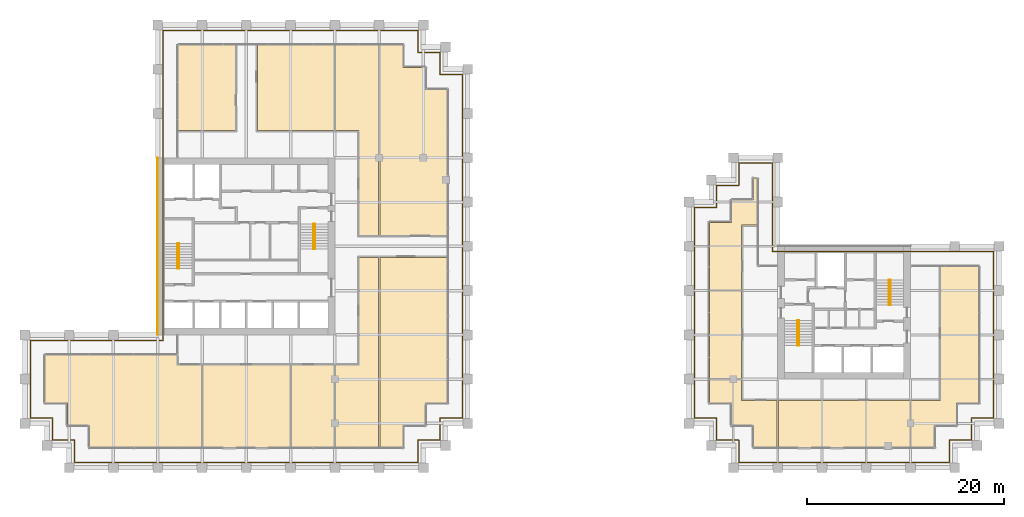
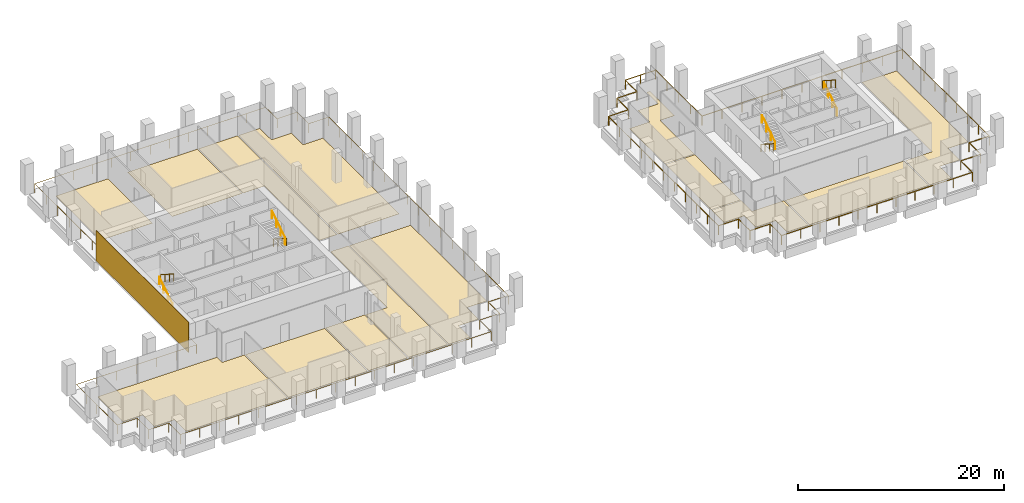
# One storey, part 45 of 46: 15 coverings, 10 railings.
"""IFC4 building model written with IfcOpenShell, lengths in metres."""

import ifcopenshell
import ifcopenshell.guid

model = None  # the IFC model being written
_history = None  # IfcOwnerHistory: only IFC2X3 demands one
_inside = {}  # id of a spatial element -> (the spatial element, [elements in it])
_under = {}  # id of a project, library or spatial element -> (it, [spatial elements below it])
_declared = {}  # id of a project -> (the project, [libraries it declares])
_typed = {}  # id of a type object -> (the type object, [elements of that type])
_made_of = {}  # id of a material, layer set ... -> (it, [elements and type objects made of it])


def new_model(schema):
    """Start an empty IFC model of exactly this schema.

    Asked for "IFC4X3", IfcOpenShell would pick the latest addendum, in which some entities
    have other attributes; the version numbers below select the first issue.
    IFC2X3 requires an IfcOwnerHistory on every rooted entity: one is made here for all.
    """
    global model, _history
    if schema == "IFC4X3":
        model = ifcopenshell.file(schema_version=(4, 3, 0, 0))
    else:
        model = ifcopenshell.file(schema=schema)
    _inside.clear()
    _under.clear()
    _declared.clear()
    _typed.clear()
    _made_of.clear()
    _history = None
    if model.schema == "IFC2X3":
        org = make("IfcOrganization", Name="unknown")
        user = make(
            "IfcPersonAndOrganization",
            ThePerson=make("IfcPerson", FamilyName="unknown"),
            TheOrganization=org,
        )
        app = make(
            "IfcApplication",
            ApplicationDeveloper=org,
            Version="unknown",
            ApplicationFullName="unknown",
            ApplicationIdentifier="unknown",
        )
        _history = make(
            "IfcOwnerHistory",
            OwningUser=user,
            OwningApplication=app,
            ChangeAction="ADDED",
            CreationDate=0,
        )
    return model


def make(cls, **values):
    """One entity of the class cls with the attributes given. An attribute that is None is left unset."""
    return model.create_entity(
        cls, **{name: value for name, value in values.items() if value is not None}
    )


def rooted(cls, **values):
    """An entity with a GlobalId (a new one), such as an element, a storey or a relation."""
    return make(cls, GlobalId=ifcopenshell.guid.new(), OwnerHistory=_history, **values)


def si_unit(unit_type, name, prefix=None):
    """IfcSIUnit, for example si_unit("LENGTHUNIT", "METRE", prefix="MILLI")."""
    return make("IfcSIUnit", UnitType=unit_type, Prefix=prefix, Name=name)


def assignment(units):
    """IfcUnitAssignment: the units of a project."""
    return None if units is None else make("IfcUnitAssignment", Units=units)


def point(xyz):
    """IfcCartesianPoint."""
    return None if xyz is None else make("IfcCartesianPoint", Coordinates=xyz)


def direction(xyz):
    """IfcDirection."""
    return None if xyz is None else make("IfcDirection", DirectionRatios=xyz)


def frame(location, z_axis=None, x_axis=None):
    """IfcAxis2Placement3D, a coordinate frame: its origin and axes. An axis left out is left unset."""
    return make(
        "IfcAxis2Placement3D",
        Location=point(location),
        Axis=direction(z_axis),
        RefDirection=direction(x_axis),
    )


def frame_2d(location, x_axis=None):
    """IfcAxis2Placement2D, a coordinate frame in the plane: its origin and x axis."""
    return make(
        "IfcAxis2Placement2D", Location=point(location), RefDirection=direction(x_axis)
    )


def origin():
    """The frame at (0, 0, 0) with its axes left unset."""
    return frame((0.0, 0.0, 0.0))


def origin_2d():
    """The frame at (0, 0) in the plane with its x axis left unset."""
    return frame_2d((0.0, 0.0))


def place(relative_to, where):
    """IfcLocalPlacement: puts the frame where relative to a parent placement (None: the world)."""
    return make(
        "IfcLocalPlacement", PlacementRelTo=relative_to, RelativePlacement=where
    )


def context(
    kind, dimensions, precision=None, world=None, true_north=None, identifier=None
):
    """IfcGeometricRepresentationContext, for example the 3D "Model" context."""
    return make(
        "IfcGeometricRepresentationContext",
        ContextIdentifier=identifier,
        ContextType=kind,
        CoordinateSpaceDimension=dimensions,
        Precision=precision,
        WorldCoordinateSystem=world,
        TrueNorth=true_north,
    )


def subcontext(parent, identifier, kind, view, scale=None):
    """IfcGeometricRepresentationSubContext, for example "Body" below "Model"."""
    return make(
        "IfcGeometricRepresentationSubContext",
        ContextIdentifier=identifier,
        ContextType=kind,
        ParentContext=parent,
        TargetScale=scale,
        TargetView=view,
    )


def project(units=None, contexts=None):
    """IfcProject with its units and contexts."""
    return rooted(
        "IfcProject",
        Name="project",
        RepresentationContexts=contexts,
        UnitsInContext=assignment(units),
    )


def spatial(cls, under=None, at=None, **own):
    """A site, building, storey or space (cls), placed at a placement, below another one or the project."""
    s = rooted(cls, ObjectPlacement=at, **own)
    if under is not None:
        _under.setdefault(under.id(), (under, []))[1].append(s)
    return s


def polyline(points):
    """IfcPolyline through the points."""
    return make("IfcPolyline", Points=[point(p) for p in points])


def profile(cls, at=None, kind="AREA", **sizes):
    """A parametric profile (cls). Its sizes go by their IFC names, for example OverallWidth=200.0."""
    return make(cls, ProfileType=kind, Position=at, **sizes)


def rectangle(**sizes):
    """IfcRectangleProfileDef."""
    return profile("IfcRectangleProfileDef", **sizes)


def circle(**sizes):
    """IfcCircleProfileDef."""
    return profile("IfcCircleProfileDef", **sizes)


def outline(outer, holes=None, kind="AREA"):
    """IfcArbitraryClosedProfileDef: a profile drawn as a closed curve; with holes, ...WithVoids."""
    if holes is None:
        return make("IfcArbitraryClosedProfileDef", ProfileType=kind, OuterCurve=outer)
    return make(
        "IfcArbitraryProfileDefWithVoids",
        ProfileType=kind,
        OuterCurve=outer,
        InnerCurves=holes,
    )


def extrude(swept, where, along, depth):
    """IfcExtrudedAreaSolid: the profile swept, set in the frame where, extruded along a direction by depth."""
    return make(
        "IfcExtrudedAreaSolid",
        SweptArea=swept,
        Position=where,
        ExtrudedDirection=direction(along),
        Depth=depth,
    )


def shape(context_of_items, identifier, shape_type, items):
    """IfcShapeRepresentation: the items that make up one representation, for example the "Body"."""
    return make(
        "IfcShapeRepresentation",
        ContextOfItems=context_of_items,
        RepresentationIdentifier=identifier,
        RepresentationType=shape_type,
        Items=items,
    )


def source(mapping_origin, context_of_items, identifier, shape_type, items):
    """IfcRepresentationMap: a shape defined once, which mapped items show again and again."""
    return make(
        "IfcRepresentationMap",
        MappingOrigin=mapping_origin,
        MappedRepresentation=shape(context_of_items, identifier, shape_type, items),
    )


def transform(
    local_origin,
    x_axis=None,
    y_axis=None,
    z_axis=None,
    scale=None,
    scale2=None,
    scale3=None,
    uniform=True,
):
    """IfcCartesianTransformationOperator3D, or its non-uniform kind. x_axis, y_axis, z_axis: its Axis1, 2, 3."""
    if uniform:
        return make(
            "IfcCartesianTransformationOperator3D",
            Axis1=direction(x_axis),
            Axis2=direction(y_axis),
            LocalOrigin=point(local_origin),
            Scale=scale,
            Axis3=direction(z_axis),
        )
    return make(
        "IfcCartesianTransformationOperator3DnonUniform",
        Axis1=direction(x_axis),
        Axis2=direction(y_axis),
        LocalOrigin=point(local_origin),
        Scale=scale,
        Axis3=direction(z_axis),
        Scale2=scale2,
        Scale3=scale3,
    )


def mapped(mapping_source, mapping_target):
    """IfcMappedItem: shows the shape of a source again, moved by a transform."""
    return make(
        "IfcMappedItem", MappingSource=mapping_source, MappingTarget=mapping_target
    )


def material(Name=None, Category=None):
    """IfcMaterial."""
    return make("IfcMaterial", Name=Name, Category=Category)


def layer(
    of_material, thickness, ventilated=None, Name=None, Category=None, Priority=None
):
    """IfcMaterialLayer: one layer of a wall or slab, of a material (None: an air gap)."""
    return make(
        "IfcMaterialLayer",
        Material=of_material,
        LayerThickness=thickness,
        IsVentilated=ventilated,
        Name=Name,
        Category=Category,
        Priority=Priority,
    )


def layer_set(layers, Name=None):
    """IfcMaterialLayerSet."""
    return make("IfcMaterialLayerSet", MaterialLayers=layers, LayerSetName=Name)


def made_of(thing, what):
    """Note that an element or type object is made of a material, layer set ...; save() writes the relation."""
    if what is not None:
        _made_of.setdefault(what.id(), (what, []))[1].append(thing)
    return thing


def type_object(cls, material=None, **own):
    """A type object (cls), such as IfcWallType, which elements share."""
    return made_of(rooted(cls, **own), material)


def element(
    cls,
    number,
    at=None,
    inside=None,
    cuts=None,
    type_object=None,
    material=None,
    context=None,
    identifier="Body",
    shape_type=None,
    held_by="IfcProductDefinitionShape",
    body=None,
    shapes=None,
    **own,
):
    """One element of the class cls, such as IfcWall. Its Tag is "e" and its number.

    at: its placement. inside: the storey or other place that contains it. cuts: it is an
    opening in that element (IfcRelVoidsElement). A single representation is given by context,
    identifier, shape_type and body (its items); several are given by shapes. held_by: the class
    of the entity that holds the representations. save() writes the other relations.
    """
    e = rooted(cls, Tag="e%d" % number, ObjectPlacement=at, **own)
    if body is not None:
        shapes = [shape(context, identifier, shape_type, body)]
    if shapes is not None:
        e.Representation = make(held_by, Representations=shapes)
    if inside is not None:
        _inside.setdefault(inside.id(), (inside, []))[1].append(e)
    if cuts is not None:
        rooted(
            "IfcRelVoidsElement", RelatingBuildingElement=cuts, RelatedOpeningElement=e
        )
    if type_object is not None:
        _typed.setdefault(type_object.id(), (type_object, []))[1].append(e)
    return made_of(e, material)


def aggregate(whole, parts):
    """IfcRelAggregates: a whole, such as a stair, and the parts it consists of."""
    return rooted("IfcRelAggregates", RelatingObject=whole, RelatedObjects=parts)


def save(model, path):
    """Write the relations noted so far, then the file.

    IfcRelAggregates (storeys below a building ...), IfcRelContainedInSpatialStructure (elements
    in a storey), IfcRelDefinesByType, IfcRelAssociatesMaterial and IfcRelDeclares: one each for
    every whole, place, type object, material and project.
    """
    for whole, parts in _under.values():
        aggregate(whole, parts)
    for where, things in _inside.values():
        rooted(
            "IfcRelContainedInSpatialStructure",
            RelatedElements=things,
            RelatingStructure=where,
        )
    for kind, things in _typed.values():
        rooted("IfcRelDefinesByType", RelatedObjects=things, RelatingType=kind)
    for what, things in _made_of.values():
        rooted("IfcRelAssociatesMaterial", RelatedObjects=things, RelatingMaterial=what)
    for by, libraries in _declared.values():
        rooted("IfcRelDeclares", RelatingContext=by, RelatedDefinitions=libraries)
    model.write(path)


model = new_model("IFC4")

# Units and contexts
model_context = context("Model", 3, precision=1e-05, world=origin(), true_north=direction((0.0, 1.0)))
body_context = subcontext(model_context, "Body", "Model", "MODEL_VIEW")
ifc_project = project(units=[si_unit("LENGTHUNIT", "METRE"), si_unit("AREAUNIT", "SQUARE_METRE"), si_unit("VOLUMEUNIT", "CUBIC_METRE"), si_unit("PLANEANGLEUNIT", "RADIAN"), si_unit("MASSUNIT", "GRAM", prefix="KILO")], contexts=[model_context])

# Site, building, storey
site_placement = place(None, origin())
site = spatial("IfcSite", under=ifc_project, at=site_placement, CompositionType="ELEMENT")
building_placement = place(site_placement, origin())
building = spatial("IfcBuilding", under=site, at=building_placement, Name="Altepetl Exchange Towers", CompositionType="ELEMENT")
storey_placement = place(building_placement, frame((0.0, 0.0, 102.800048828125)))
storey = spatial("IfcBuildingStorey", under=building, at=storey_placement, Name="L25", CompositionType="ELEMENT", Elevation=102.800048828125)

# Coverings
ifc_material_1 = material(Name="Carpet tile")
ifc_layer_1 = layer(ifc_material_1, 0.02001953125)
ifc_layer_set_1 = layer_set([ifc_layer_1], Name="Carpet tile")
covering_type_1 = type_object("IfcCoveringType", Name="Carpet tile floor", PredefinedType="FLOORING", material=ifc_layer_set_1)
covering_1_placement = place(storey_placement, origin())
element("IfcCovering", 1, at=covering_1_placement, inside=storey, type_object=covering_type_1, Name="Training room floor finish A25.01", PredefinedType="FLOORING", context=body_context, shape_type="SweptSolid", body=[
    extrude(outline(polyline([(53.9375, 29.0625), (53.9375, 37.4375), (45.0625, 37.4375), (45.0625, 29.0625), (53.9375, 29.0625)])), origin(), (0.0, 0.0, 1.0), 0.02001953125),
])
covering_2_placement = place(storey_placement, origin())
element("IfcCovering", 2, at=covering_2_placement, inside=storey, type_object=covering_type_1, Name="Open office floor finish A25.03", PredefinedType="FLOORING", context=body_context, shape_type="SweptSolid", body=[
    extrude(outline(polyline([(33.5625, 29.0625), (44.9375, 29.0625), (44.9375, 37.4375), (42.4375, 37.4375), (42.4375, 38.4375), (29.0625, 38.4375), (29.0625, 33.5625), (31.3125, 33.5625), (31.3125, 31.3125), (33.5625, 31.3125), (33.5625, 29.0625)])), origin(), (0.0, 0.0, 1.0), 0.02001953125),
])
covering_3_placement = place(storey_placement, origin())
element("IfcCovering", 3, at=covering_3_placement, inside=storey, type_object=covering_type_1, Name="Research office floor finish A25.05", PredefinedType="FLOORING", context=body_context, shape_type="SweptSolid", body=[
    extrude(outline(polyline([(67.6875, 33.5625), (69.9375, 33.5625), (69.9375, 48.387451171875), (63.0625, 48.387451171875), (63.0625, 29.0625), (65.4375, 29.0625), (65.4375, 31.3125), (67.6875, 31.3125), (67.6875, 33.5625)])), origin(), (0.0, 0.0, 1.0), 0.02001953125),
])
covering_4_placement = place(storey_placement, origin())
element("IfcCovering", 4, at=covering_4_placement, inside=storey, type_object=covering_type_1, Name="Huddle room floor finish A25.07", PredefinedType="FLOORING", context=body_context, shape_type="SweptSolid", body=[
    extrude(outline(polyline([(62.9375, 50.612548828125), (62.9375, 69.9375), (58.5625, 69.9375), (58.5625, 61.262451171875), (60.96240234375, 61.262451171875), (60.96240234375, 50.612548828125), (62.9375, 50.612548828125)])), origin(), (0.0, 0.0, 1.0), 0.02001953125),
])
covering_5_placement = place(storey_placement, origin())
element("IfcCovering", 5, at=covering_5_placement, inside=storey, type_object=covering_type_1, Name="Pantry floor finish A25.08", PredefinedType="FLOORING", context=body_context, shape_type="SweptSolid", body=[
    extrude(outline(polyline([(42.5625, 61.262451171875), (48.387451171875, 61.262451171875), (48.387451171875, 69.9375), (42.5625, 69.9375), (42.5625, 61.262451171875)])), origin(), (0.0, 0.0, 1.0), 0.02001953125),
])
covering_6_placement = place(storey_placement, origin())
element("IfcCovering", 6, at=covering_6_placement, inside=storey, type_object=covering_type_1, Name="Meeting room floor finish A25.09", PredefinedType="FLOORING", context=body_context, shape_type="SweptSolid", body=[
    extrude(outline(polyline([(58.4375, 61.262451171875), (58.4375, 69.9375), (50.612548828125, 69.9375), (50.612548828125, 61.262451171875), (58.4375, 61.262451171875)])), origin(), (0.0, 0.0, 1.0), 0.02001953125),
])
covering_7_placement = place(storey_placement, origin())
element("IfcCovering", 7, at=covering_7_placement, inside=storey, type_object=covering_type_1, Name="Huddle room floor finish B25.01", PredefinedType="FLOORING", context=body_context, shape_type="SweptSolid", body=[
    extrude(outline(polyline([(99.83740234375, 44.9375), (96.5625, 44.9375), (96.5625, 36.0625), (99.83740234375, 36.0625), (99.83740234375, 44.9375)])), origin(), (0.0, 0.0, 1.0), 0.02001953125),
])
covering_8_placement = place(storey_placement, origin())
element("IfcCovering", 8, at=covering_8_placement, inside=storey, type_object=covering_type_1, Name="Research office floor finish B25.04", PredefinedType="FLOORING", context=body_context, shape_type="SweptSolid", body=[
    extrude(outline(polyline([(117.0625, 33.83740234375), (117.0625, 29.0625), (119.4375, 29.0625), (119.4375, 31.3125), (121.6875, 31.3125), (121.6875, 33.5625), (123.9375, 33.5625), (123.9375, 47.4375), (120.0625, 47.4375), (120.0625, 33.83740234375), (117.0625, 33.83740234375)])), origin(), (0.0, 0.0, 1.0), 0.02001953125),
])
covering_9_placement = place(storey_placement, origin())
element("IfcCovering", 9, at=covering_9_placement, inside=storey, type_object=covering_type_1, Name="Interview room floor finish B25.05", PredefinedType="FLOORING", context=body_context, shape_type="SweptSolid", body=[
    extrude(outline(polyline([(101.0625, 54.1875), (98.8125, 54.1875), (98.8125, 51.9375), (96.5625, 51.9375), (96.5625, 45.0625), (99.83740234375, 45.0625), (99.83740234375, 51.66259765625), (101.4375, 51.66259765625), (101.4375, 56.4375), (101.0625, 56.4375), (101.0625, 54.1875)])), origin(), (0.0, 0.0, 1.0), 0.02001953125),
])
ifc_material_2 = material(Name="Cantera stone", Category="masonry")
ifc_layer_2 = layer(ifc_material_2, 0.030029296875)
ifc_layer_set_2 = layer_set([ifc_layer_2], Name="Cantera stone")
covering_type_2 = type_object("IfcCoveringType", Name="Polished stone floor", PredefinedType="FLOORING", material=ifc_layer_set_2)
covering_10_placement = place(storey_placement, origin())
element("IfcCovering", 10, at=covering_10_placement, inside=storey, type_object=covering_type_2, Name="Cafe floor finish A25.06", PredefinedType="FLOORING", context=body_context, shape_type="SweptSolid", body=[
    extrude(outline(polyline([(67.6875, 67.6875), (65.4375, 67.6875), (65.4375, 69.9375), (63.0625, 69.9375), (63.0625, 50.612548828125), (69.9375, 50.612548828125), (69.9375, 65.4375), (67.6875, 65.4375), (67.6875, 67.6875)])), origin(), (0.0, 0.0, 1.0), 0.030029296875),
])
covering_11_placement = place(storey_placement, origin())
element("IfcCovering", 11, at=covering_11_placement, inside=storey, type_object=covering_type_2, Name="Library floor finish B25.03", PredefinedType="FLOORING", context=body_context, shape_type="SweptSolid", body=[
    extrude(outline(polyline([(103.5625, 33.83740234375), (103.5625, 29.0625), (116.9375, 29.0625), (116.9375, 33.83740234375), (103.5625, 33.83740234375)])), origin(), (0.0, 0.0, 1.0), 0.030029296875),
])
ifc_material_3 = material(Name="Calcium sulphate access floor panel")
ifc_layer_3 = layer(ifc_material_3, 0.0400390625)
ifc_layer_set_3 = layer_set([ifc_layer_3], Name="Calcium sulphate access floor panel")
covering_type_3 = type_object("IfcCoveringType", Name="Raised access floor panels", PredefinedType="FLOORING", material=ifc_layer_set_3)
covering_12_placement = place(storey_placement, origin())
element("IfcCovering", 12, at=covering_12_placement, inside=storey, type_object=covering_type_3, Name="Data room floor finish A25.02", PredefinedType="FLOORING", context=body_context, shape_type="SweptSolid", body=[
    extrude(outline(polyline([(58.4375, 29.0625), (58.4375, 37.4375), (54.0625, 37.4375), (54.0625, 29.0625), (58.4375, 29.0625)])), origin(), (0.0, 0.0, 1.0), 0.0400390625),
])
covering_13_placement = place(storey_placement, origin())
element("IfcCovering", 13, at=covering_13_placement, inside=storey, type_object=covering_type_3, Name="Data room floor finish A25.04", PredefinedType="FLOORING", context=body_context, shape_type="SweptSolid", body=[
    extrude(outline(polyline([(62.9375, 29.0625), (62.9375, 48.387451171875), (60.96240234375, 48.387451171875), (60.96240234375, 37.4375), (58.5625, 37.4375), (58.5625, 29.0625), (62.9375, 29.0625)])), origin(), (0.0, 0.0, 1.0), 0.0400390625),
])
covering_14_placement = place(storey_placement, origin())
element("IfcCovering", 14, at=covering_14_placement, inside=storey, type_object=covering_type_3, Name="Data room floor finish B25.02", PredefinedType="FLOORING", context=body_context, shape_type="SweptSolid", body=[
    extrude(outline(polyline([(99.83740234375, 35.9375), (96.5625, 35.9375), (96.5625, 33.5625), (98.8125, 33.5625), (98.8125, 31.3125), (101.0625, 31.3125), (101.0625, 29.0625), (103.4375, 29.0625), (103.4375, 33.83740234375), (99.83740234375, 33.83740234375), (99.83740234375, 35.9375)])), origin(), (0.0, 0.0, 1.0), 0.0400390625),
])
ifc_material_4 = material(Name="Cantera limestone cladding", Category="masonry")
ifc_layer_4 = layer(ifc_material_4, 0.0400390625)
ifc_layer_set_4 = layer_set([ifc_layer_4], Name="Cantera limestone cladding")
covering_type_4 = type_object("IfcCoveringType", Name="Stone panel 40 cantera", PredefinedType="CLADDING", material=ifc_layer_set_4)
covering_15_placement = place(storey_placement, frame((40.47998046875, 49.5, 0.0), z_axis=(0.0, 0.0, 1.0), x_axis=(0.0, -1.0, 0.0)))
element("IfcCovering", 15, at=covering_15_placement, inside=storey, type_object=covering_type_4, Name="Stone cladding panel", PredefinedType="CLADDING", context=body_context, shape_type="SweptSolid", body=[
    extrude(rectangle(XDim=18.0, YDim=0.0400390625, at=origin_2d()), origin(), (0.0, 0.0, 1.0), 3.60009765625),
])

# Railings
ifc_material_5 = material(Name="Steel S355", Category="steel")
railing_type_1 = type_object("IfcRailingType", Name="Guard 1100 steel posts and rail", PredefinedType="GUARDRAIL", material=ifc_material_5)
shared_shape_1 = source(origin(), body_context, "Body", "SweptSolid", [
    extrude(circle(Radius=0.02099609375, at=origin_2d()), origin(), (0.0, 0.0, 1.0), 1.052001953125),
])
railing_1_placement = place(storey_placement, frame((41.050048828125, 39.949951171875, 0.0)))
element("IfcRailing", 16, at=railing_1_placement, inside=storey, type_object=railing_type_1, Name="Loggia guard", PredefinedType="GUARDRAIL", context=body_context, shape_type="SweptSolid", body=[
    extrude(circle(Radius=0.02392578125, at=origin_2d()), frame((0.0, 0.0, 1.076171875), z_axis=(-1.0, 0.0, 0.0), x_axis=(0.0, -1.0, 0.0)), (0.0, 0.0, 1.0), 13.5),
    extrude(circle(Radius=0.02392578125, at=origin_2d()), frame((-13.5, 0.0, 1.076171875), z_axis=(0.0, -1.0, 0.0), x_axis=(1.0, 0.0, 0.0)), (0.0, 0.0, 1.0), 7.89990234375),
    extrude(circle(Radius=0.02392578125, at=origin_2d()), frame((-13.5, -7.89990234375, 1.076171875), z_axis=(1.0, 0.0, 0.0), x_axis=(0.0, 1.0, 0.0)), (0.0, 0.0, 1.0), 2.25),
    extrude(circle(Radius=0.02392578125, at=origin_2d()), frame((-11.25, -7.89990234375, 1.076171875), z_axis=(0.0, -1.0, 0.0), x_axis=(1.0, 0.0, 0.0)), (0.0, 0.0, 1.0), 2.25),
    extrude(circle(Radius=0.02392578125, at=origin_2d()), frame((-11.25, -10.14990234375, 1.076171875), z_axis=(1.0, 0.0, 0.0), x_axis=(0.0, 1.0, 0.0)), (0.0, 0.0, 1.0), 2.25),
    extrude(circle(Radius=0.02392578125, at=origin_2d()), frame((-9.0, -10.14990234375, 1.076171875), z_axis=(0.0, -1.0, 0.0), x_axis=(1.0, 0.0, 0.0)), (0.0, 0.0, 1.0), 2.25),
    extrude(circle(Radius=0.02392578125, at=origin_2d()), frame((-9.0, -12.39990234375, 1.076171875), z_axis=(1.0, 0.0, 0.0), x_axis=(0.0, 1.0, 0.0)), (0.0, 0.0, 1.0), 34.89990234375),
    extrude(circle(Radius=0.02392578125, at=origin_2d()), frame((25.89990234375, -12.39990234375, 1.076171875), z_axis=(0.0, 1.0, 0.0), x_axis=(-1.0, 0.0, 0.0)), (0.0, 0.0, 1.0), 2.25),
    extrude(circle(Radius=0.02392578125, at=origin_2d()), frame((25.89990234375, -10.14990234375, 1.076171875), z_axis=(1.0, 0.0, 0.0), x_axis=(0.0, 1.0, 0.0)), (0.0, 0.0, 1.0), 2.25),
    extrude(circle(Radius=0.02392578125, at=origin_2d()), frame((28.14990234375, -10.14990234375, 1.076171875), z_axis=(0.0, 1.0, 0.0), x_axis=(-1.0, 0.0, 0.0)), (0.0, 0.0, 1.0), 2.25),
    extrude(circle(Radius=0.02392578125, at=origin_2d()), frame((28.14990234375, -7.89990234375, 1.076171875), z_axis=(1.0, 0.0, 0.0), x_axis=(0.0, 1.0, 0.0)), (0.0, 0.0, 1.0), 2.25),
    extrude(circle(Radius=0.02392578125, at=origin_2d()), frame((30.39990234375, -7.89990234375, 1.076171875), z_axis=(0.0, 1.0, 0.0), x_axis=(-1.0, 0.0, 0.0)), (0.0, 0.0, 1.0), 34.89990234375),
    extrude(circle(Radius=0.02392578125, at=origin_2d()), frame((30.39990234375, 27.0, 1.076171875), z_axis=(-1.0, 0.0, 0.0), x_axis=(0.0, -1.0, 0.0)), (0.0, 0.0, 1.0), 2.25),
    extrude(circle(Radius=0.02392578125, at=origin_2d()), frame((28.14990234375, 27.0, 1.076171875), z_axis=(0.0, 1.0, 0.0), x_axis=(-1.0, 0.0, 0.0)), (0.0, 0.0, 1.0), 2.25),
    extrude(circle(Radius=0.02392578125, at=origin_2d()), frame((28.14990234375, 29.25, 1.076171875), z_axis=(-1.0, 0.0, 0.0), x_axis=(0.0, -1.0, 0.0)), (0.0, 0.0, 1.0), 2.25),
    extrude(circle(Radius=0.02392578125, at=origin_2d()), frame((25.89990234375, 29.25, 1.076171875), z_axis=(0.0, 1.0, 0.0), x_axis=(-1.0, 0.0, 0.0)), (0.0, 0.0, 1.0), 2.25),
    extrude(circle(Radius=0.02392578125, at=origin_2d()), frame((25.89990234375, 31.5, 1.076171875), z_axis=(-1.0, 0.0, 0.0), x_axis=(0.0, -1.0, 0.0)), (0.0, 0.0, 1.0), 25.89990234375),
    extrude(circle(Radius=0.02392578125, at=origin_2d()), frame((0.0, 31.5, 1.076171875), z_axis=(0.0, -1.0, 0.0), x_axis=(1.0, 0.0, 0.0)), (0.0, 0.0, 1.0), 31.39990234375),
    mapped(shared_shape_1, transform((0.0, 0.0, 0.0))),
    mapped(shared_shape_1, transform((-2.25, 0.0, 0.0))),
    mapped(shared_shape_1, transform((-4.5, 0.0, 0.0))),
    mapped(shared_shape_1, transform((-6.75, 0.0, 0.0))),
    mapped(shared_shape_1, transform((-9.0, 0.0, 0.0))),
    mapped(shared_shape_1, transform((-11.25, 0.0, 0.0))),
    mapped(shared_shape_1, transform((-13.5, 0.0, 0.0))),
    mapped(shared_shape_1, transform((-13.5, -1.97509765625, 0.0))),
    mapped(shared_shape_1, transform((-13.5, -3.949951171875, 0.0))),
    mapped(shared_shape_1, transform((-13.5, -5.9248046875, 0.0))),
    mapped(shared_shape_1, transform((-13.5, -7.89990234375, 0.0))),
    mapped(shared_shape_1, transform((-11.25, -7.89990234375, 0.0))),
    mapped(shared_shape_1, transform((-11.25, -10.14990234375, 0.0))),
    mapped(shared_shape_1, transform((-9.0, -10.14990234375, 0.0))),
    mapped(shared_shape_1, transform((-9.0, -12.39990234375, 0.0))),
    mapped(shared_shape_1, transform((-6.81884765625, -12.39990234375, 0.0))),
    mapped(shared_shape_1, transform((-4.637451171875, -12.39990234375, 0.0))),
    mapped(shared_shape_1, transform((-2.456298828125, -12.39990234375, 0.0))),
    mapped(shared_shape_1, transform((-0.27490234375, -12.39990234375, 0.0))),
    mapped(shared_shape_1, transform((1.90625, -12.39990234375, 0.0))),
    mapped(shared_shape_1, transform((4.08740234375, -12.39990234375, 0.0))),
    mapped(shared_shape_1, transform((6.268798828125, -12.39990234375, 0.0))),
    mapped(shared_shape_1, transform((8.449951171875, -12.39990234375, 0.0))),
    mapped(shared_shape_1, transform((10.631103515625, -12.39990234375, 0.0))),
    mapped(shared_shape_1, transform((12.8125, -12.39990234375, 0.0))),
    mapped(shared_shape_1, transform((14.99365234375, -12.39990234375, 0.0))),
    mapped(shared_shape_1, transform((17.1748046875, -12.39990234375, 0.0))),
    mapped(shared_shape_1, transform((19.356201171875, -12.39990234375, 0.0))),
    mapped(shared_shape_1, transform((21.537353515625, -12.39990234375, 0.0))),
    mapped(shared_shape_1, transform((23.71875, -12.39990234375, 0.0))),
    mapped(shared_shape_1, transform((25.89990234375, -12.39990234375, 0.0))),
    mapped(shared_shape_1, transform((25.89990234375, -10.14990234375, 0.0))),
    mapped(shared_shape_1, transform((28.14990234375, -10.14990234375, 0.0))),
    mapped(shared_shape_1, transform((28.14990234375, -7.89990234375, 0.0))),
    mapped(shared_shape_1, transform((30.39990234375, -7.89990234375, 0.0))),
    mapped(shared_shape_1, transform((30.39990234375, -5.71875, 0.0))),
    mapped(shared_shape_1, transform((30.39990234375, -3.537353515625, 0.0))),
    mapped(shared_shape_1, transform((30.39990234375, -1.356201171875, 0.0))),
    mapped(shared_shape_1, transform((30.39990234375, 0.8251953125, 0.0))),
    mapped(shared_shape_1, transform((30.39990234375, 3.00634765625, 0.0))),
    mapped(shared_shape_1, transform((30.39990234375, 5.1875, 0.0))),
    mapped(shared_shape_1, transform((30.39990234375, 7.368896484375, 0.0))),
    mapped(shared_shape_1, transform((30.39990234375, 9.550048828125, 0.0))),
    mapped(shared_shape_1, transform((30.39990234375, 11.731201171875, 0.0))),
    mapped(shared_shape_1, transform((30.39990234375, 13.91259765625, 0.0))),
    mapped(shared_shape_1, transform((30.39990234375, 16.09375, 0.0))),
    mapped(shared_shape_1, transform((30.39990234375, 18.27490234375, 0.0))),
    mapped(shared_shape_1, transform((30.39990234375, 20.456298828125, 0.0))),
    mapped(shared_shape_1, transform((30.39990234375, 22.637451171875, 0.0))),
    mapped(shared_shape_1, transform((30.39990234375, 24.81884765625, 0.0))),
    mapped(shared_shape_1, transform((30.39990234375, 27.0, 0.0))),
    mapped(shared_shape_1, transform((28.14990234375, 27.0, 0.0))),
    mapped(shared_shape_1, transform((28.14990234375, 29.25, 0.0))),
    mapped(shared_shape_1, transform((25.89990234375, 29.25, 0.0))),
    mapped(shared_shape_1, transform((25.89990234375, 31.5, 0.0))),
    mapped(shared_shape_1, transform((23.74169921875, 31.5, 0.0))),
    mapped(shared_shape_1, transform((21.583251953125, 31.5, 0.0))),
    mapped(shared_shape_1, transform((19.4248046875, 31.5, 0.0))),
    mapped(shared_shape_1, transform((17.2666015625, 31.5, 0.0))),
    mapped(shared_shape_1, transform((15.1083984375, 31.5, 0.0))),
    mapped(shared_shape_1, transform((12.949951171875, 31.5, 0.0))),
    mapped(shared_shape_1, transform((10.79150390625, 31.5, 0.0))),
    mapped(shared_shape_1, transform((8.63330078125, 31.5, 0.0))),
    mapped(shared_shape_1, transform((6.47509765625, 31.5, 0.0))),
    mapped(shared_shape_1, transform((4.316650390625, 31.5, 0.0))),
    mapped(shared_shape_1, transform((2.158203125, 31.5, 0.0))),
    mapped(shared_shape_1, transform((0.0, 31.5, 0.0))),
    mapped(shared_shape_1, transform((0.0, 29.257080078125, 0.0))),
    mapped(shared_shape_1, transform((0.0, 27.014404296875, 0.0))),
    mapped(shared_shape_1, transform((0.0, 24.771484375, 0.0))),
    mapped(shared_shape_1, transform((0.0, 22.528564453125, 0.0))),
    mapped(shared_shape_1, transform((0.0, 20.28564453125, 0.0))),
    mapped(shared_shape_1, transform((0.0, 18.04296875, 0.0))),
    mapped(shared_shape_1, transform((0.0, 15.800048828125, 0.0))),
    mapped(shared_shape_1, transform((0.0, 13.55712890625, 0.0))),
    mapped(shared_shape_1, transform((0.0, 11.314453125, 0.0))),
    mapped(shared_shape_1, transform((0.0, 9.071533203125, 0.0))),
    mapped(shared_shape_1, transform((0.0, 6.82861328125, 0.0))),
    mapped(shared_shape_1, transform((0.0, 4.585693359375, 0.0))),
    mapped(shared_shape_1, transform((0.0, 2.343017578125, 0.0))),
    mapped(shared_shape_1, transform((0.0, 0.10009765625, 0.0))),
])
railing_2_placement = place(storey_placement, frame((95.050048828125, 53.449951171875, 0.0)))
element("IfcRailing", 17, at=railing_2_placement, inside=storey, type_object=railing_type_1, Name="Loggia guard", PredefinedType="GUARDRAIL", context=body_context, shape_type="SweptSolid", body=[
    extrude(circle(Radius=0.02392578125, at=origin_2d()), frame((0.0, 0.0, 1.076171875), z_axis=(0.0, -1.0, 0.0), x_axis=(1.0, 0.0, 0.0)), (0.0, 0.0, 1.0), 21.39990234375),
    extrude(circle(Radius=0.02392578125, at=origin_2d()), frame((0.0, -21.39990234375, 1.076171875), z_axis=(1.0, 0.0, 0.0), x_axis=(0.0, 1.0, 0.0)), (0.0, 0.0, 1.0), 2.25),
    extrude(circle(Radius=0.02392578125, at=origin_2d()), frame((2.25, -21.39990234375, 1.076171875), z_axis=(0.0, -1.0, 0.0), x_axis=(1.0, 0.0, 0.0)), (0.0, 0.0, 1.0), 2.25),
    extrude(circle(Radius=0.02392578125, at=origin_2d()), frame((2.25, -23.64990234375, 1.076171875), z_axis=(1.0, 0.0, 0.0), x_axis=(0.0, 1.0, 0.0)), (0.0, 0.0, 1.0), 2.25),
    extrude(circle(Radius=0.02392578125, at=origin_2d()), frame((4.5, -23.64990234375, 1.076171875), z_axis=(0.0, -1.0, 0.0), x_axis=(1.0, 0.0, 0.0)), (0.0, 0.0, 1.0), 2.25),
    extrude(circle(Radius=0.02392578125, at=origin_2d()), frame((4.5, -25.89990234375, 1.076171875), z_axis=(1.0, 0.0, 0.0), x_axis=(0.0, 1.0, 0.0)), (0.0, 0.0, 1.0), 21.39990234375),
    extrude(circle(Radius=0.02392578125, at=origin_2d()), frame((25.89990234375, -25.89990234375, 1.076171875), z_axis=(0.0, 1.0, 0.0), x_axis=(-1.0, 0.0, 0.0)), (0.0, 0.0, 1.0), 2.25),
    extrude(circle(Radius=0.02392578125, at=origin_2d()), frame((25.89990234375, -23.64990234375, 1.076171875), z_axis=(1.0, 0.0, 0.0), x_axis=(0.0, 1.0, 0.0)), (0.0, 0.0, 1.0), 2.25),
    extrude(circle(Radius=0.02392578125, at=origin_2d()), frame((28.14990234375, -23.64990234375, 1.076171875), z_axis=(0.0, 1.0, 0.0), x_axis=(-1.0, 0.0, 0.0)), (0.0, 0.0, 1.0), 2.25),
    extrude(circle(Radius=0.02392578125, at=origin_2d()), frame((28.14990234375, -21.39990234375, 1.076171875), z_axis=(1.0, 0.0, 0.0), x_axis=(0.0, 1.0, 0.0)), (0.0, 0.0, 1.0), 2.25),
    extrude(circle(Radius=0.02392578125, at=origin_2d()), frame((30.39990234375, -21.39990234375, 1.076171875), z_axis=(0.0, 1.0, 0.0), x_axis=(-1.0, 0.0, 0.0)), (0.0, 0.0, 1.0), 16.89990234375),
    extrude(circle(Radius=0.02392578125, at=origin_2d()), frame((30.39990234375, -4.5, 1.076171875), z_axis=(-1.0, 0.0, 0.0), x_axis=(0.0, -1.0, 0.0)), (0.0, 0.0, 1.0), 22.5),
    extrude(circle(Radius=0.02392578125, at=origin_2d()), frame((7.89990234375, -4.5, 1.076171875), z_axis=(0.0, 1.0, 0.0), x_axis=(-1.0, 0.0, 0.0)), (0.0, 0.0, 1.0), 9.0),
    extrude(circle(Radius=0.02392578125, at=origin_2d()), frame((7.89990234375, 4.5, 1.076171875), z_axis=(-1.0, 0.0, 0.0), x_axis=(0.0, -1.0, 0.0)), (0.0, 0.0, 1.0), 3.39990234375),
    extrude(circle(Radius=0.02392578125, at=origin_2d()), frame((4.5, 4.5, 1.076171875), z_axis=(0.0, -1.0, 0.0), x_axis=(1.0, 0.0, 0.0)), (0.0, 0.0, 1.0), 2.25),
    extrude(circle(Radius=0.02392578125, at=origin_2d()), frame((4.5, 2.25, 1.076171875), z_axis=(-1.0, 0.0, 0.0), x_axis=(0.0, -1.0, 0.0)), (0.0, 0.0, 1.0), 2.25),
    extrude(circle(Radius=0.02392578125, at=origin_2d()), frame((2.25, 2.25, 1.076171875), z_axis=(0.0, -1.0, 0.0), x_axis=(1.0, 0.0, 0.0)), (0.0, 0.0, 1.0), 2.25),
    extrude(circle(Radius=0.02392578125, at=origin_2d()), frame((2.25, 0.0, 1.076171875), z_axis=(-1.0, 0.0, 0.0), x_axis=(0.0, -1.0, 0.0)), (0.0, 0.0, 1.0), 2.150146484375),
    mapped(shared_shape_1, transform((0.0, 0.0, 0.0))),
    mapped(shared_shape_1, transform((0.0, -2.139892578125, 0.0))),
    mapped(shared_shape_1, transform((0.0, -4.280029296875, 0.0))),
    mapped(shared_shape_1, transform((0.0, -6.419921875, 0.0))),
    mapped(shared_shape_1, transform((0.0, -8.56005859375, 0.0))),
    mapped(shared_shape_1, transform((0.0, -10.699951171875, 0.0))),
    mapped(shared_shape_1, transform((0.0, -12.83984375, 0.0))),
    mapped(shared_shape_1, transform((0.0, -14.97998046875, 0.0))),
    mapped(shared_shape_1, transform((0.0, -17.119873046875, 0.0))),
    mapped(shared_shape_1, transform((0.0, -19.260009765625, 0.0))),
    mapped(shared_shape_1, transform((0.0, -21.39990234375, 0.0))),
    mapped(shared_shape_1, transform((2.25, -21.39990234375, 0.0))),
    mapped(shared_shape_1, transform((2.25, -23.64990234375, 0.0))),
    mapped(shared_shape_1, transform((4.5, -23.64990234375, 0.0))),
    mapped(shared_shape_1, transform((4.5, -25.89990234375, 0.0))),
    mapped(shared_shape_1, transform((6.639892578125, -25.89990234375, 0.0))),
    mapped(shared_shape_1, transform((8.780029296875, -25.89990234375, 0.0))),
    mapped(shared_shape_1, transform((10.919921875, -25.89990234375, 0.0))),
    mapped(shared_shape_1, transform((13.06005859375, -25.89990234375, 0.0))),
    mapped(shared_shape_1, transform((15.199951171875, -25.89990234375, 0.0))),
    mapped(shared_shape_1, transform((17.33984375, -25.89990234375, 0.0))),
    mapped(shared_shape_1, transform((19.47998046875, -25.89990234375, 0.0))),
    mapped(shared_shape_1, transform((21.619873046875, -25.89990234375, 0.0))),
    mapped(shared_shape_1, transform((23.760009765625, -25.89990234375, 0.0))),
    mapped(shared_shape_1, transform((25.89990234375, -25.89990234375, 0.0))),
    mapped(shared_shape_1, transform((25.89990234375, -23.64990234375, 0.0))),
    mapped(shared_shape_1, transform((28.14990234375, -23.64990234375, 0.0))),
    mapped(shared_shape_1, transform((28.14990234375, -21.39990234375, 0.0))),
    mapped(shared_shape_1, transform((30.39990234375, -21.39990234375, 0.0))),
    mapped(shared_shape_1, transform((30.39990234375, -19.287353515625, 0.0))),
    mapped(shared_shape_1, transform((30.39990234375, -17.1748046875, 0.0))),
    mapped(shared_shape_1, transform((30.39990234375, -15.0625, 0.0))),
    mapped(shared_shape_1, transform((30.39990234375, -12.949951171875, 0.0))),
    mapped(shared_shape_1, transform((30.39990234375, -10.83740234375, 0.0))),
    mapped(shared_shape_1, transform((30.39990234375, -8.72509765625, 0.0))),
    mapped(shared_shape_1, transform((30.39990234375, -6.612548828125, 0.0))),
    mapped(shared_shape_1, transform((30.39990234375, -4.5, 0.0))),
    mapped(shared_shape_1, transform((28.14990234375, -4.5, 0.0))),
    mapped(shared_shape_1, transform((25.89990234375, -4.5, 0.0))),
    mapped(shared_shape_1, transform((23.64990234375, -4.5, 0.0))),
    mapped(shared_shape_1, transform((21.39990234375, -4.5, 0.0))),
    mapped(shared_shape_1, transform((19.14990234375, -4.5, 0.0))),
    mapped(shared_shape_1, transform((16.89990234375, -4.5, 0.0))),
    mapped(shared_shape_1, transform((14.64990234375, -4.5, 0.0))),
    mapped(shared_shape_1, transform((12.39990234375, -4.5, 0.0))),
    mapped(shared_shape_1, transform((10.14990234375, -4.5, 0.0))),
    mapped(shared_shape_1, transform((7.89990234375, -4.5, 0.0))),
    mapped(shared_shape_1, transform((7.89990234375, -2.25, 0.0))),
    mapped(shared_shape_1, transform((7.89990234375, 0.0, 0.0))),
    mapped(shared_shape_1, transform((7.89990234375, 2.25, 0.0))),
    mapped(shared_shape_1, transform((7.89990234375, 4.5, 0.0))),
    mapped(shared_shape_1, transform((6.199951171875, 4.5, 0.0))),
    mapped(shared_shape_1, transform((4.5, 4.5, 0.0))),
    mapped(shared_shape_1, transform((4.5, 2.25, 0.0))),
    mapped(shared_shape_1, transform((2.25, 2.25, 0.0))),
    mapped(shared_shape_1, transform((2.25, 0.0, 0.0))),
    mapped(shared_shape_1, transform((0.099853515625, 0.0, 0.0))),
])
ifc_material_6 = material(Name="Steel", Category="steel")
railing_type_2 = type_object("IfcRailingType", Name="Stair handrail 50 steel tube", PredefinedType="HANDRAIL", material=ifc_material_6)
shared_shape_2 = source(origin(), body_context, "Body", "SweptSolid", [
    extrude(circle(Radius=0.02099609375, at=origin_2d()), origin(), (0.0, 0.0, 1.0), 0.851806640625),
])
railing_3_placement = place(storey_placement, frame((42.52001953125, 47.25, 0.179931640625)))
element("IfcRailing", 18, at=railing_3_placement, inside=storey, type_object=railing_type_2, Name="Stair handrail", PredefinedType="HANDRAIL", context=body_context, shape_type="SweptSolid", body=[
    extrude(circle(Radius=0.02392578125, at=origin_2d()), frame((0.0, 0.0, 0.8759765625), z_axis=(0.0, 0.841162588446, 0.540782303519), x_axis=(-1.0, 0.0, 0.0)), (0.0, 0.0, 1.0), 2.995849609375),
    mapped(shared_shape_2, transform((0.0, 0.0, 0.0))),
    mapped(shared_shape_2, transform((0.0, 0.840087890625, 0.5400390625))),
    mapped(shared_shape_2, transform((0.0, 1.679931640625, 1.080078125))),
    mapped(shared_shape_2, transform((0.0, 2.52001953125, 1.6201171875))),
])
railing_4_placement = place(storey_placement, frame((42.679931640625, 49.77001953125, 1.97998046875)))
element("IfcRailing", 19, at=railing_4_placement, inside=storey, type_object=railing_type_2, Name="Stair handrail", PredefinedType="HANDRAIL", context=body_context, shape_type="SweptSolid", body=[
    extrude(circle(Radius=0.02392578125, at=origin_2d()), frame((0.0, 0.0, 0.8759765625), z_axis=(0.0, -0.841199657755, 0.540724639528), x_axis=(1.0, 0.0, 0.0)), (0.0, 0.0, 1.0), 2.995849609375),
    mapped(shared_shape_2, transform((0.0, 0.0, 0.0))),
    mapped(shared_shape_2, transform((0.0, -0.840087890625, 0.5400390625))),
    mapped(shared_shape_2, transform((0.0, -1.679931640625, 1.079833984375))),
    mapped(shared_shape_2, transform((0.0, -2.52001953125, 1.619873046875))),
])
railing_5_placement = place(storey_placement, frame((56.47998046875, 51.75, 0.179931640625)))
element("IfcRailing", 20, at=railing_5_placement, inside=storey, type_object=railing_type_2, Name="Stair handrail", PredefinedType="HANDRAIL", context=body_context, shape_type="SweptSolid", body=[
    extrude(circle(Radius=0.02392578125, at=origin_2d()), frame((0.0, 0.0, 0.8759765625), z_axis=(0.0, -0.841162588446, 0.540782303519), x_axis=(1.0, 0.0, 0.0)), (0.0, 0.0, 1.0), 2.995849609375),
    mapped(shared_shape_2, transform((0.0, 0.0, 0.0))),
    mapped(shared_shape_2, transform((0.0, -0.840087890625, 0.5400390625))),
    mapped(shared_shape_2, transform((0.0, -1.679931640625, 1.080078125))),
    mapped(shared_shape_2, transform((0.0, -2.52001953125, 1.6201171875))),
])
railing_6_placement = place(storey_placement, frame((56.320068359375, 49.22998046875, 1.97998046875)))
element("IfcRailing", 21, at=railing_6_placement, inside=storey, type_object=railing_type_2, Name="Stair handrail", PredefinedType="HANDRAIL", context=body_context, shape_type="SweptSolid", body=[
    extrude(circle(Radius=0.02392578125, at=origin_2d()), frame((0.0, 0.0, 0.8759765625), z_axis=(0.0, 0.841199657755, 0.540724639528), x_axis=(-1.0, 0.0, 0.0)), (0.0, 0.0, 1.0), 2.995849609375),
    mapped(shared_shape_2, transform((0.0, 0.0, 0.0))),
    mapped(shared_shape_2, transform((0.0, 0.840087890625, 0.5400390625))),
    mapped(shared_shape_2, transform((0.0, 1.679931640625, 1.079833984375))),
    mapped(shared_shape_2, transform((0.0, 2.52001953125, 1.619873046875))),
])
railing_7_placement = place(storey_placement, frame((105.52001953125, 41.949951171875, 0.179931640625)))
element("IfcRailing", 22, at=railing_7_placement, inside=storey, type_object=railing_type_2, Name="Stair handrail", PredefinedType="HANDRAIL", context=body_context, shape_type="SweptSolid", body=[
    extrude(circle(Radius=0.02392578125, at=origin_2d()), frame((0.0, 0.0, 0.8759765625), z_axis=(0.0, -0.841162588446, 0.540782303519), x_axis=(1.0, 0.0, 0.0)), (0.0, 0.0, 1.0), 2.995849609375),
    mapped(shared_shape_2, transform((0.0, 0.0, 0.0))),
    mapped(shared_shape_2, transform((0.0, -0.840087890625, 0.5400390625))),
    mapped(shared_shape_2, transform((0.0, -1.679931640625, 1.080078125))),
    mapped(shared_shape_2, transform((0.0, -2.52001953125, 1.6201171875))),
])
railing_8_placement = place(storey_placement, frame((105.679931640625, 39.429931640625, 1.97998046875)))
element("IfcRailing", 23, at=railing_8_placement, inside=storey, type_object=railing_type_2, Name="Stair handrail", PredefinedType="HANDRAIL", context=body_context, shape_type="SweptSolid", body=[
    extrude(circle(Radius=0.02392578125, at=origin_2d()), frame((0.0, 0.0, 0.8759765625), z_axis=(0.0, 0.841199657755, 0.540724639528), x_axis=(-1.0, 0.0, 0.0)), (0.0, 0.0, 1.0), 2.995849609375),
    mapped(shared_shape_2, transform((0.0, 0.0, 0.0))),
    mapped(shared_shape_2, transform((0.0, 0.840087890625, 0.5400390625))),
    mapped(shared_shape_2, transform((0.0, 1.679931640625, 1.079833984375))),
    mapped(shared_shape_2, transform((0.0, 2.52001953125, 1.619873046875))),
])
railing_9_placement = place(storey_placement, frame((114.97998046875, 43.550048828125, 0.179931640625)))
element("IfcRailing", 24, at=railing_9_placement, inside=storey, type_object=railing_type_2, Name="Stair handrail", PredefinedType="HANDRAIL", context=body_context, shape_type="SweptSolid", body=[
    extrude(circle(Radius=0.02392578125, at=origin_2d()), frame((0.0, 0.0, 0.8759765625), z_axis=(0.0, 0.841162588446, 0.540782303519), x_axis=(-1.0, 0.0, 0.0)), (0.0, 0.0, 1.0), 2.995849609375),
    mapped(shared_shape_2, transform((0.0, 0.0, 0.0))),
    mapped(shared_shape_2, transform((0.0, 0.840087890625, 0.5400390625))),
    mapped(shared_shape_2, transform((0.0, 1.679931640625, 1.080078125))),
    mapped(shared_shape_2, transform((0.0, 2.52001953125, 1.6201171875))),
])
railing_10_placement = place(storey_placement, frame((114.820068359375, 46.070068359375, 1.97998046875)))
element("IfcRailing", 25, at=railing_10_placement, inside=storey, type_object=railing_type_2, Name="Stair handrail", PredefinedType="HANDRAIL", context=body_context, shape_type="SweptSolid", body=[
    extrude(circle(Radius=0.02392578125, at=origin_2d()), frame((0.0, 0.0, 0.8759765625), z_axis=(0.0, -0.841199657755, 0.540724639528), x_axis=(1.0, 0.0, 0.0)), (0.0, 0.0, 1.0), 2.995849609375),
    mapped(shared_shape_2, transform((0.0, 0.0, 0.0))),
    mapped(shared_shape_2, transform((0.0, -0.840087890625, 0.5400390625))),
    mapped(shared_shape_2, transform((0.0, -1.679931640625, 1.079833984375))),
    mapped(shared_shape_2, transform((0.0, -2.52001953125, 1.619873046875))),
])

save(model, "model.ifc")
